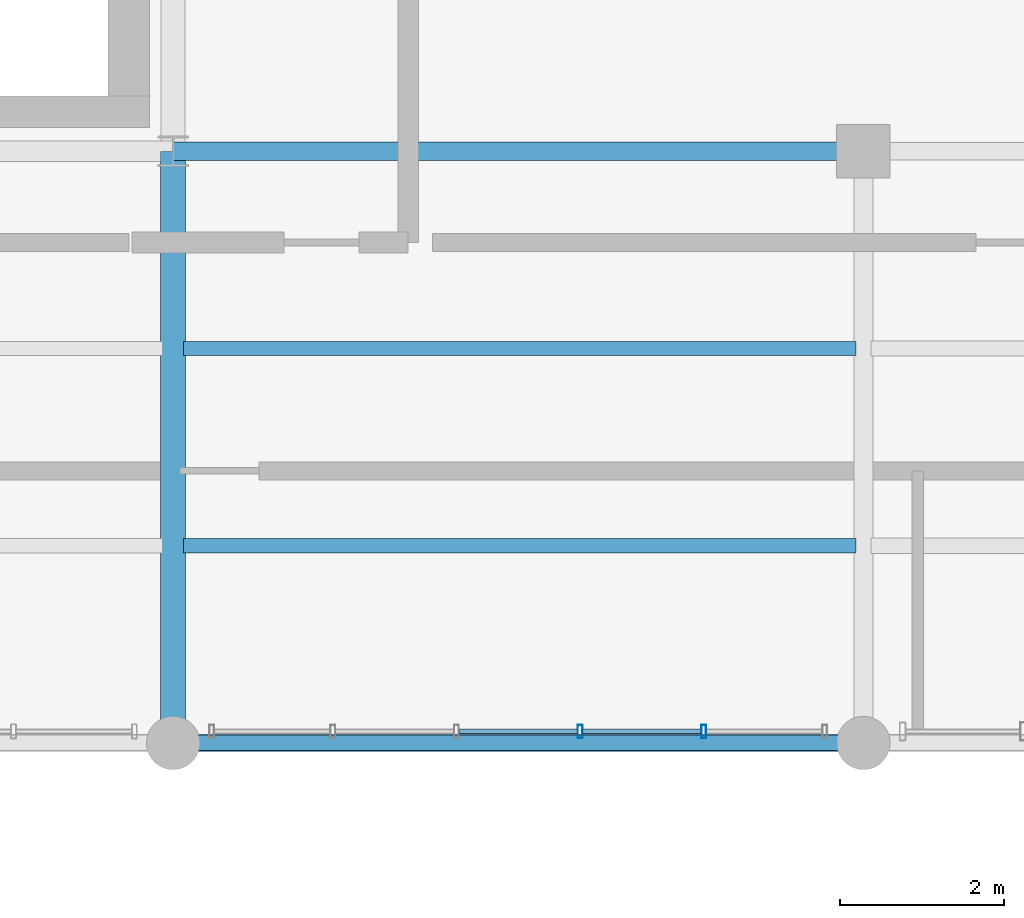
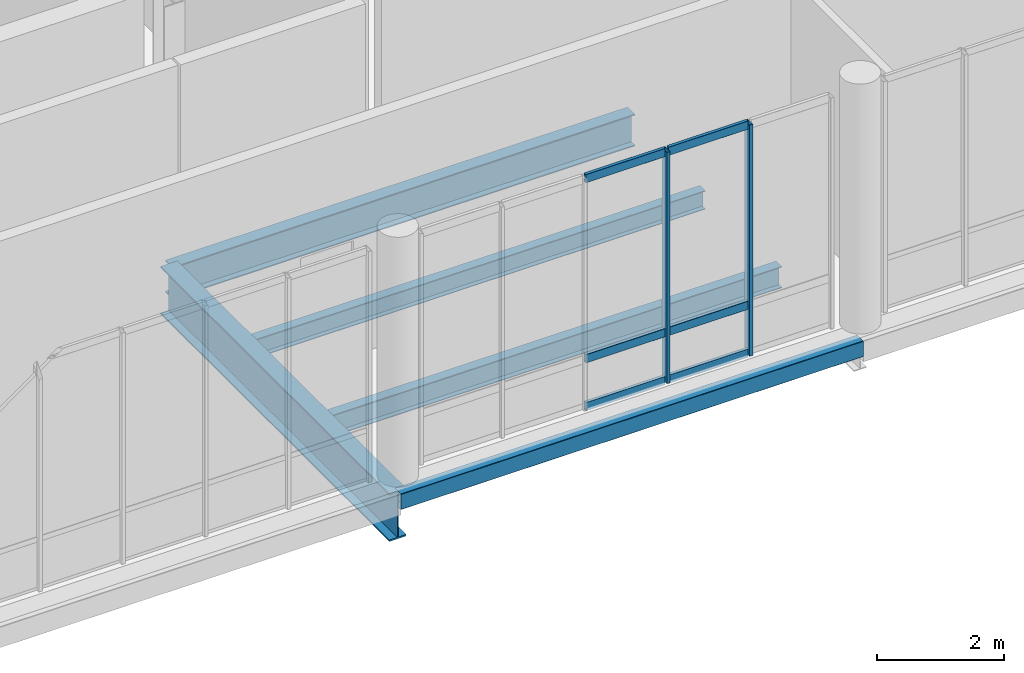
# One storey, part 23 of 81: 8 members, 5 beams, 1 element without a shape of its own.
"""IFC4 building model written with IfcOpenShell, lengths in metres."""

from ifc_helpers import new_model, si_unit, direction, frame, origin_with_axes, origin_2d_with_axis, place, context, subcontext, project, spatial, hollow_rectangle, i_section, extrude, material, material_profile, profile_set, type_object, element, aggregate, save


model = new_model("IFC4")

# Units and contexts
model_context = context("Model", 3, precision=1e-05, world=origin_with_axes(), true_north=direction((0.0, 1.0)))
body_context = subcontext(model_context, "Body", "Model", "MODEL_VIEW")
ifc_project = project(units=[si_unit("LENGTHUNIT", "METRE"), si_unit("AREAUNIT", "SQUARE_METRE"), si_unit("VOLUMEUNIT", "CUBIC_METRE"), si_unit("PLANEANGLEUNIT", "RADIAN"), si_unit("MASSUNIT", "GRAM", prefix="KILO"), si_unit("THERMODYNAMICTEMPERATUREUNIT", "KELVIN")], contexts=[model_context])

# Site, building, storey
site_placement = place(None, origin_with_axes())
site = spatial("IfcSite", under=ifc_project, at=site_placement, CompositionType="ELEMENT")
building_placement = place(site_placement, origin_with_axes())
building = spatial("IfcBuilding", under=site, at=building_placement, Name="Montbau Bow Law Courts", CompositionType="ELEMENT")
storey_placement = place(building_placement, frame((0.0, 0.0, 24.9), z_axis=(0.0, 0.0, 1.0), x_axis=(1.0, 0.0, 0.0)))
storey = spatial("IfcBuildingStorey", under=building, at=storey_placement, Name="L05", CompositionType="ELEMENT", Elevation=24.9)

# Beams
ifc_material_1 = material(Name="Steel CSA G40.21 Grade 350W (350 MPa)", Category="steel")
ifc_material_profile_1 = material_profile(ifc_material_1, i_section(OverallWidth=0.306, OverallDepth=0.919, WebThickness=0.0173, FlangeThickness=0.0279, at=origin_2d_with_axis()), Name="W920X253", Category="Main", Priority=0)
ifc_profile_set_1 = profile_set([ifc_material_profile_1], Name="Steel CSA G40.21 Grade 350W (350 MPa)")
beam_type_1 = type_object("IfcBeamType", Name="B-FLR-01", PredefinedType="BEAM", material=ifc_profile_set_1)
beam_1_placement = place(None, frame((63.6, 39.0, 24.141), z_axis=(0.0, 1.0, 0.0), x_axis=(-1.0, 0.0, 0.0)))
element("IfcBeam", 1, at=beam_1_placement, inside=storey, type_object=beam_type_1, Name="BM-L05-S0983:bm2_0986", PredefinedType="BEAM", context=body_context, shape_type="SweptSolid", body=[
    extrude(i_section(OverallWidth=0.306, OverallDepth=0.919, WebThickness=0.0173, FlangeThickness=0.0279, at=origin_2d_with_axis()), origin_with_axes(), (0.0, 0.0, 1.0), 7.2),
])
ifc_material_profile_2 = material_profile(ifc_material_1, i_section(OverallWidth=0.229, OverallDepth=0.612, WebThickness=0.0119, FlangeThickness=0.0196, at=origin_2d_with_axis()), Name="W610X125", Category="Main", Priority=0)
ifc_profile_set_2 = profile_set([ifc_material_profile_2], Name="Steel CSA G40.21 Grade 350W (350 MPa)")
beam_type_2 = type_object("IfcBeamType", Name="B-FLR-05", PredefinedType="BEAM", material=ifc_profile_set_2)
beam_2_placement = place(None, frame((63.6, 46.2, 24.294), z_axis=(1.0, 0.0, 0.0), x_axis=(0.0, 1.0, 0.0)))
element("IfcBeam", 2, at=beam_2_placement, inside=storey, type_object=beam_type_2, Name="BM-L05-S0964:bm2_0967", PredefinedType="BEAM", context=body_context, shape_type="SweptSolid", body=[
    extrude(i_section(OverallWidth=0.229, OverallDepth=0.612, WebThickness=0.0119, FlangeThickness=0.0196, at=origin_2d_with_axis()), origin_with_axes(), (0.0, 0.0, 1.0), 8.4),
])
ifc_material_profile_3 = material_profile(ifc_material_1, i_section(OverallWidth=0.179, OverallDepth=0.41, WebThickness=0.0088, FlangeThickness=0.0144, at=origin_2d_with_axis()), Name="W410X67", Category="Main", Priority=0)
ifc_profile_set_3 = profile_set([ifc_material_profile_3], Name="Steel CSA G40.21 Grade 350W (350 MPa)")
beam_type_3 = type_object("IfcBeamType", Name="B-JST-02", PredefinedType="JOIST", material=ifc_profile_set_3)
beam_3_placement = place(None, frame((63.729, 41.4, 24.395), z_axis=(1.0, 0.0, 0.0), x_axis=(0.0, 1.0, 0.0)))
element("IfcBeam", 3, at=beam_3_placement, inside=storey, type_object=beam_type_3, Name="JST-L05-S0497:jst2_0497", PredefinedType="JOIST", context=body_context, shape_type="SweptSolid", body=[
    extrude(i_section(OverallWidth=0.179, OverallDepth=0.41, WebThickness=0.0088, FlangeThickness=0.0144, at=origin_2d_with_axis()), origin_with_axes(), (0.0, 0.0, 1.0), 8.18),
])
ifc_material_profile_4 = material_profile(ifc_material_1, i_section(OverallWidth=0.172, OverallDepth=0.358, WebThickness=0.0079, FlangeThickness=0.0131, at=origin_2d_with_axis()), Name="W360X57", Category="Main", Priority=0)
ifc_profile_set_4 = profile_set([ifc_material_profile_4], Name="Steel CSA G40.21 Grade 350W (350 MPa)")
beam_type_4 = type_object("IfcBeamType", Name="B-JST-03", PredefinedType="JOIST", material=ifc_profile_set_4)
beam_4_placement = place(None, frame((63.729, 43.8, 24.421), z_axis=(1.0, 0.0, 0.0), x_axis=(0.0, 1.0, 0.0)))
element("IfcBeam", 4, at=beam_4_placement, inside=storey, type_object=beam_type_4, Name="JST-L05-S0498:jst2_0498", PredefinedType="JOIST", context=body_context, shape_type="SweptSolid", body=[
    extrude(i_section(OverallWidth=0.172, OverallDepth=0.358, WebThickness=0.0079, FlangeThickness=0.0131, at=origin_2d_with_axis()), origin_with_axes(), (0.0, 0.0, 1.0), 8.18),
])
ifc_material_2 = material(Name="Steel CSA G40.21 Grade 350WT (350 MPa)", Category="steel")
ifc_material_profile_5 = material_profile(ifc_material_2, hollow_rectangle(XDim=0.203, YDim=0.305, WallThickness=0.0127, InnerFilletRadius=0.0254, OuterFilletRadius=0.0127, at=origin_2d_with_axis()), Name="HSS305X203X13", Category="Main", Priority=0)
ifc_profile_set_5 = profile_set([ifc_material_profile_5], Name="Steel CSA G40.21 Grade 350WT (350 MPa)")
beam_type_5 = type_object("IfcBeamType", Name="B-SPN-02", PredefinedType="SPANDREL", material=ifc_profile_set_5)
beam_5_placement = place(None, frame((63.6, 39.0, 24.448), z_axis=(1.0, 0.0, 0.0), x_axis=(0.0, 1.0, 0.0)))
element("IfcBeam", 5, at=beam_5_placement, inside=storey, type_object=beam_type_5, Name="SPN-L05-S0958:bm2_0961", PredefinedType="SPANDREL", context=body_context, shape_type="SweptSolid", body=[
    extrude(hollow_rectangle(XDim=0.203, YDim=0.305, WallThickness=0.0127, InnerFilletRadius=0.0254, OuterFilletRadius=0.0127, at=origin_2d_with_axis()), origin_with_axes(), (0.0, 0.0, 1.0), 8.4),
])

# Curtain wall, members
ifc_material_3 = material(Name="Thermally Broken Extruded Aluminium AA 6063-T6", Category="aluminium")
curtain_wall_type = type_object("IfcCurtainWallType", Name="CW-NCK-02", PredefinedType="NOTDEFINED", material=ifc_material_3)
curtain_wall_placement = place(None, frame((64.04, 39.14, 24.9), z_axis=(0.0, 0.0, 1.0), x_axis=(1.0, 0.0, 0.0)))
curtain_wall = element("IfcCurtainWall", 6, at=curtain_wall_placement, inside=storey, type_object=curtain_wall_type, Name="CW-L05-212:cw_0212", PredefinedType="NOTDEFINED")
ifc_material_profile_6 = material_profile(ifc_material_3, hollow_rectangle(XDim=0.06, YDim=0.16, WallThickness=0.004, InnerFilletRadius=0.008, OuterFilletRadius=0.004, at=origin_2d_with_axis()), Name="CWM-160X60", Category="Main", Priority=0)
ifc_profile_set_6 = profile_set([ifc_material_profile_6], Name="Thermally Broken Extruded Aluminium AA 6063-T6")
member_type_1 = type_object("IfcMemberType", Name="M-MUL-03", PredefinedType="MULLION", material=ifc_profile_set_6)
member_1_placement = place(None, frame((68.552, 39.14, 24.9), z_axis=(0.0, 0.0, 1.0), x_axis=(1.0, 0.0, 0.0)))
member_1 = element("IfcMember", 7, at=member_1_placement, type_object=member_type_1, Name="CW-L05-212-M04:cw_0212_M04", PredefinedType="MULLION", context=body_context, shape_type="SweptSolid", body=[
    extrude(hollow_rectangle(XDim=0.06, YDim=0.16, WallThickness=0.004, InnerFilletRadius=0.008, OuterFilletRadius=0.004, at=origin_2d_with_axis()), origin_with_axes(), (0.0, 0.0, 1.0), 4.44),
])
member_2_placement = place(None, frame((70.056, 39.14, 24.9), z_axis=(0.0, 0.0, 1.0), x_axis=(1.0, 0.0, 0.0)))
member_2 = element("IfcMember", 8, at=member_2_placement, type_object=member_type_1, Name="CW-L05-212-M05:cw_0212_M05", PredefinedType="MULLION", context=body_context, shape_type="SweptSolid", body=[
    extrude(hollow_rectangle(XDim=0.06, YDim=0.16, WallThickness=0.004, InnerFilletRadius=0.008, OuterFilletRadius=0.004, at=origin_2d_with_axis()), origin_with_axes(), (0.0, 0.0, 1.0), 4.44),
])
ifc_material_profile_7 = material_profile(ifc_material_3, hollow_rectangle(XDim=0.06, YDim=0.16, WallThickness=0.004, InnerFilletRadius=0.008, OuterFilletRadius=0.004, at=origin_2d_with_axis()), Name="CWT-160X60", Category="Main", Priority=0)
ifc_profile_set_7 = profile_set([ifc_material_profile_7], Name="Thermally Broken Extruded Aluminium AA 6063-T6")
member_type_2 = type_object("IfcMemberType", Name="M-TRN-01", PredefinedType="USERDEFINED", material=ifc_profile_set_7)
member_3_placement = place(None, frame((67.08, 39.14, 24.93), z_axis=(1.0, 0.0, 0.0), x_axis=(0.0, 1.0, 0.0)))
member_3 = element("IfcMember", 9, at=member_3_placement, type_object=member_type_2, Name="CW-L05-212-T03-1:cw_0212_T03_1", ObjectType="TRANSOM", PredefinedType="USERDEFINED", context=body_context, shape_type="SweptSolid", body=[
    extrude(hollow_rectangle(XDim=0.06, YDim=0.16, WallThickness=0.004, InnerFilletRadius=0.008, OuterFilletRadius=0.004, at=origin_2d_with_axis()), origin_with_axes(), (0.0, 0.0, 1.0), 1.44),
])
member_4_placement = place(None, frame((67.08, 39.14, 25.85), z_axis=(1.0, 0.0, 0.0), x_axis=(0.0, 1.0, 0.0)))
member_4 = element("IfcMember", 10, at=member_4_placement, type_object=member_type_2, Name="CW-L05-212-T03-2:cw_0212_T03_2", ObjectType="TRANSOM", PredefinedType="USERDEFINED", context=body_context, shape_type="SweptSolid", body=[
    extrude(hollow_rectangle(XDim=0.06, YDim=0.16, WallThickness=0.004, InnerFilletRadius=0.008, OuterFilletRadius=0.004, at=origin_2d_with_axis()), origin_with_axes(), (0.0, 0.0, 1.0), 1.44),
])
member_5_placement = place(None, frame((67.08, 39.14, 29.31), z_axis=(1.0, 0.0, 0.0), x_axis=(0.0, 1.0, 0.0)))
member_5 = element("IfcMember", 11, at=member_5_placement, type_object=member_type_2, Name="CW-L05-212-T03-3:cw_0212_T03_3", ObjectType="TRANSOM", PredefinedType="USERDEFINED", context=body_context, shape_type="SweptSolid", body=[
    extrude(hollow_rectangle(XDim=0.06, YDim=0.16, WallThickness=0.004, InnerFilletRadius=0.008, OuterFilletRadius=0.004, at=origin_2d_with_axis()), origin_with_axes(), (0.0, 0.0, 1.0), 1.44),
])
member_6_placement = place(None, frame((68.584, 39.14, 24.93), z_axis=(1.0, 0.0, 0.0), x_axis=(0.0, 1.0, 0.0)))
member_6 = element("IfcMember", 12, at=member_6_placement, type_object=member_type_2, Name="CW-L05-212-T04-1:cw_0212_T04_1", ObjectType="TRANSOM", PredefinedType="USERDEFINED", context=body_context, shape_type="SweptSolid", body=[
    extrude(hollow_rectangle(XDim=0.06, YDim=0.16, WallThickness=0.004, InnerFilletRadius=0.008, OuterFilletRadius=0.004, at=origin_2d_with_axis()), origin_with_axes(), (0.0, 0.0, 1.0), 1.44),
])
member_7_placement = place(None, frame((68.584, 39.14, 25.85), z_axis=(1.0, 0.0, 0.0), x_axis=(0.0, 1.0, 0.0)))
member_7 = element("IfcMember", 13, at=member_7_placement, type_object=member_type_2, Name="CW-L05-212-T04-2:cw_0212_T04_2", ObjectType="TRANSOM", PredefinedType="USERDEFINED", context=body_context, shape_type="SweptSolid", body=[
    extrude(hollow_rectangle(XDim=0.06, YDim=0.16, WallThickness=0.004, InnerFilletRadius=0.008, OuterFilletRadius=0.004, at=origin_2d_with_axis()), origin_with_axes(), (0.0, 0.0, 1.0), 1.44),
])
member_8_placement = place(None, frame((68.584, 39.14, 29.31), z_axis=(1.0, 0.0, 0.0), x_axis=(0.0, 1.0, 0.0)))
member_8 = element("IfcMember", 14, at=member_8_placement, type_object=member_type_2, Name="CW-L05-212-T04-3:cw_0212_T04_3", ObjectType="TRANSOM", PredefinedType="USERDEFINED", context=body_context, shape_type="SweptSolid", body=[
    extrude(hollow_rectangle(XDim=0.06, YDim=0.16, WallThickness=0.004, InnerFilletRadius=0.008, OuterFilletRadius=0.004, at=origin_2d_with_axis()), origin_with_axes(), (0.0, 0.0, 1.0), 1.44),
])
aggregate(curtain_wall, [member_1, member_2, member_3, member_4, member_5, member_6, member_7, member_8])

save(model, "model.ifc")
